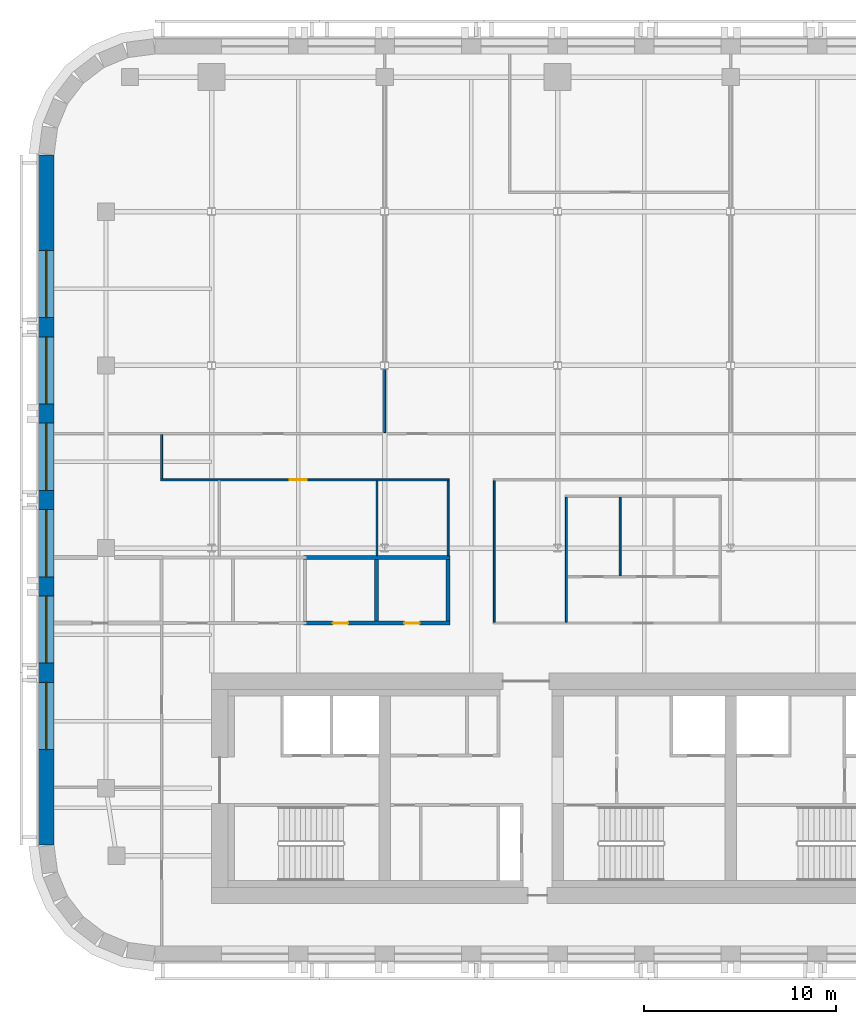
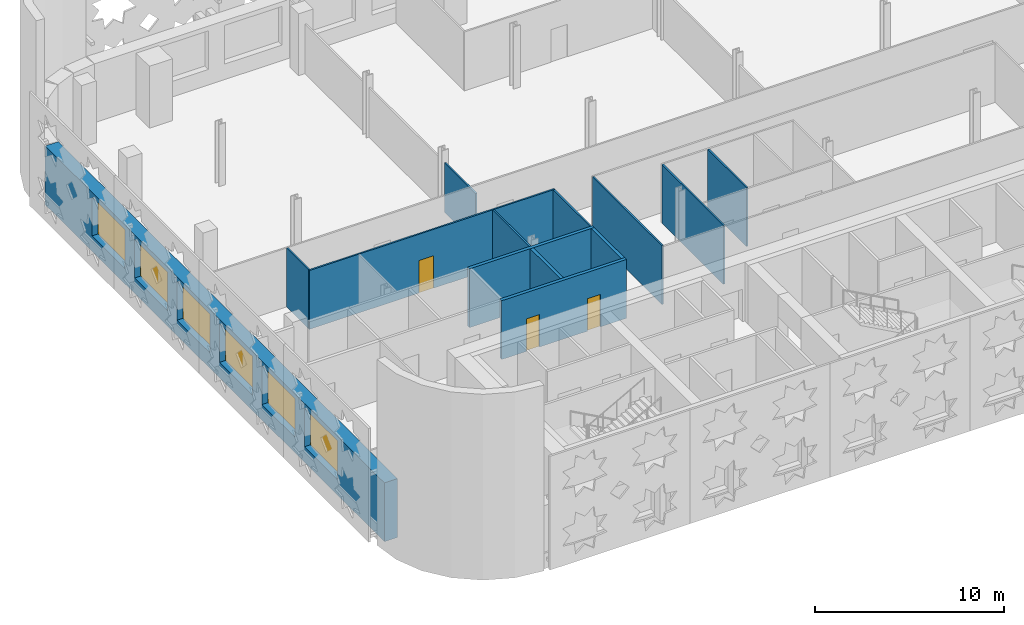
# One storey, part 4 of 14: 13 walls, 6 windows, 3 doors, 9 openings.
"""IFC4 building model written with IfcOpenShell, lengths in metres."""

from ifc_helpers import new_model, si_unit, direction, frame, frame_2d, origin, place, context, subcontext, project, spatial, rectangle, extrude, material, layer, layer_set, type_object, element, fill, save


model = new_model("IFC4")

# Units and contexts
model_context = context("Model", 3, precision=1e-05, world=origin(), true_north=direction((0.0, 1.0)))
body_context = subcontext(model_context, "Body", "Model", "MODEL_VIEW")
ifc_project = project(units=[si_unit("LENGTHUNIT", "METRE"), si_unit("AREAUNIT", "SQUARE_METRE"), si_unit("VOLUMEUNIT", "CUBIC_METRE"), si_unit("PLANEANGLEUNIT", "RADIAN"), si_unit("MASSUNIT", "GRAM", prefix="KILO")], contexts=[model_context])

# Site, building, storey
site_placement = place(None, origin())
site = spatial("IfcSite", under=ifc_project, at=site_placement, CompositionType="ELEMENT")
building_placement = place(site_placement, origin())
building = spatial("IfcBuilding", under=site, at=building_placement, Name="Zellij Exchange Tower", CompositionType="ELEMENT")
storey_placement = place(building_placement, frame((0.0, 0.0, 188.5)))
storey = spatial("IfcBuildingStorey", under=building, at=storey_placement, Name="L43", CompositionType="ELEMENT", Elevation=188.5)

# Wall, openings, windows
ifc_material_1 = material(Name="Precast concrete C40/50", Category="concrete")
ifc_layer_1 = layer(ifc_material_1, 0.800048828125)
ifc_layer_set_1 = layer_set([ifc_layer_1], Name="Precast concrete C40/50")
wall_type_1 = type_object("IfcWallType", Name="ENV-EW1 Precast stone-piered wall 800", PredefinedType="SOLIDWALL", material=ifc_layer_set_1)
wall_1_placement = place(storey_placement, frame((-35.60009765625, 24.947509765625, 0.0), z_axis=(0.0, 0.0, 1.0), x_axis=(0.0, -1.0, 0.0)))
wall_1 = element("IfcWall", 1, at=wall_1_placement, inside=storey, type_object=wall_type_1, Name="fac.L43.21", PredefinedType="SOLIDWALL", context=body_context, shape_type="SweptSolid", body=[
    extrude(rectangle(XDim=35.89501953125, YDim=0.800048828125, at=frame_2d((17.947509765625, 0.0))), origin(), (0.0, 0.0, 1.0), 3.800048828125),
])
opening_1_placement = place(wall_1_placement, frame((4.9638671875, 0.0, 1.0)))
opening_1 = element("IfcOpeningElement", 2, at=opening_1_placement, cuts=wall_1, Name="Opening FZ3.31", PredefinedType="OPENING", context=body_context, shape_type="SweptSolid", body=[
    extrude(rectangle(XDim=3.5, YDim=2.5, at=frame_2d((1.75, 1.25))), frame((0.0, 0.412109375, 0.0), z_axis=(0.0, -1.0, 0.0), x_axis=(1.0, 0.0, 0.0)), (0.0, 0.0, 1.0), 0.823974609375),
])
opening_2_placement = place(wall_1_placement, frame((9.45751953125, 0.0, 1.0)))
opening_2 = element("IfcOpeningElement", 3, at=opening_2_placement, cuts=wall_1, Name="Opening FZ3.32", PredefinedType="OPENING", context=body_context, shape_type="SweptSolid", body=[
    extrude(rectangle(XDim=3.5, YDim=2.5, at=frame_2d((1.75, 1.25))), frame((0.0, 0.412109375, 0.0), z_axis=(0.0, -1.0, 0.0), x_axis=(1.0, 0.0, 0.0)), (0.0, 0.0, 1.0), 0.823974609375),
])
opening_3_placement = place(wall_1_placement, frame((13.950927734375, 0.0, 1.0)))
opening_3 = element("IfcOpeningElement", 4, at=opening_3_placement, cuts=wall_1, Name="Opening FZ3.33", PredefinedType="OPENING", context=body_context, shape_type="SweptSolid", body=[
    extrude(rectangle(XDim=3.5, YDim=2.5, at=frame_2d((1.75, 1.25))), frame((0.0, 0.412109375, 0.0), z_axis=(0.0, -1.0, 0.0), x_axis=(1.0, 0.0, 0.0)), (0.0, 0.0, 1.0), 0.823974609375),
])
opening_4_placement = place(wall_1_placement, frame((18.4443359375, 0.0, 1.0)))
opening_4 = element("IfcOpeningElement", 5, at=opening_4_placement, cuts=wall_1, Name="Opening FZ3.34", PredefinedType="OPENING", context=body_context, shape_type="SweptSolid", body=[
    extrude(rectangle(XDim=3.5, YDim=2.5, at=frame_2d((1.75, 1.25))), frame((0.0, 0.412109375, 0.0), z_axis=(0.0, -1.0, 0.0), x_axis=(1.0, 0.0, 0.0)), (0.0, 0.0, 1.0), 0.823974609375),
])
opening_5_placement = place(wall_1_placement, frame((22.937744140625, 0.0, 1.0)))
opening_5 = element("IfcOpeningElement", 6, at=opening_5_placement, cuts=wall_1, Name="Opening FZ3.35", PredefinedType="OPENING", context=body_context, shape_type="SweptSolid", body=[
    extrude(rectangle(XDim=3.5, YDim=2.5, at=frame_2d((1.75, 1.25))), frame((0.0, 0.412109375, 0.0), z_axis=(0.0, -1.0, 0.0), x_axis=(1.0, 0.0, 0.0)), (0.0, 0.0, 1.0), 0.823974609375),
])
opening_6_placement = place(wall_1_placement, frame((27.43115234375, 0.0, 1.0)))
opening_6 = element("IfcOpeningElement", 7, at=opening_6_placement, cuts=wall_1, Name="Opening FZ3.36", PredefinedType="OPENING", context=body_context, shape_type="SweptSolid", body=[
    extrude(rectangle(XDim=3.5, YDim=2.5, at=frame_2d((1.75, 1.25))), frame((0.0, 0.412109375, 0.0), z_axis=(0.0, -1.0, 0.0), x_axis=(1.0, 0.0, 0.0)), (0.0, 0.0, 1.0), 0.823974609375),
])
ifc_material_2 = material(Name="Aluminium frame with insulating glass", Category="aluminium")
window_type = type_object("IfcWindowType", Name="ENV-W1 Window 3500x2500", PartitioningType="SINGLE_PANEL", PredefinedType="WINDOW", material=ifc_material_2)
window_1_placement = place(opening_1_placement, origin())
window_1 = element("IfcWindow", 8, at=window_1_placement, inside=storey, type_object=window_type, Name="Window FZ3.31", OverallHeight=2.5, OverallWidth=3.5, PartitioningType="SINGLE_PANEL", PredefinedType="WINDOW", context=body_context, shape_type="SweptSolid", body=[
    extrude(rectangle(XDim=3.5, YDim=2.5, at=frame_2d((1.75, 1.25))), frame((0.0, 0.030029296875, 0.0), z_axis=(0.0, -1.0, 0.0), x_axis=(1.0, 0.0, 0.0)), (0.0, 0.0, 1.0), 0.06005859375),
])
fill(opening_1, window_1)
window_2_placement = place(opening_2_placement, origin())
window_2 = element("IfcWindow", 9, at=window_2_placement, inside=storey, type_object=window_type, Name="Window FZ3.32", OverallHeight=2.5, OverallWidth=3.5, PartitioningType="SINGLE_PANEL", PredefinedType="WINDOW", context=body_context, shape_type="SweptSolid", body=[
    extrude(rectangle(XDim=3.5, YDim=2.5, at=frame_2d((1.75, 1.25))), frame((0.0, 0.030029296875, 0.0), z_axis=(0.0, -1.0, 0.0), x_axis=(1.0, 0.0, 0.0)), (0.0, 0.0, 1.0), 0.06005859375),
])
fill(opening_2, window_2)
window_3_placement = place(opening_3_placement, origin())
window_3 = element("IfcWindow", 10, at=window_3_placement, inside=storey, type_object=window_type, Name="Window FZ3.33", OverallHeight=2.5, OverallWidth=3.5, PartitioningType="SINGLE_PANEL", PredefinedType="WINDOW", context=body_context, shape_type="SweptSolid", body=[
    extrude(rectangle(XDim=3.5, YDim=2.5, at=frame_2d((1.75, 1.25))), frame((0.0, 0.030029296875, 0.0), z_axis=(0.0, -1.0, 0.0), x_axis=(1.0, 0.0, 0.0)), (0.0, 0.0, 1.0), 0.06005859375),
])
fill(opening_3, window_3)
window_4_placement = place(opening_4_placement, origin())
window_4 = element("IfcWindow", 11, at=window_4_placement, inside=storey, type_object=window_type, Name="Window FZ3.34", OverallHeight=2.5, OverallWidth=3.5, PartitioningType="SINGLE_PANEL", PredefinedType="WINDOW", context=body_context, shape_type="SweptSolid", body=[
    extrude(rectangle(XDim=3.5, YDim=2.5, at=frame_2d((1.75, 1.25))), frame((0.0, 0.030029296875, 0.0), z_axis=(0.0, -1.0, 0.0), x_axis=(1.0, 0.0, 0.0)), (0.0, 0.0, 1.0), 0.06005859375),
])
fill(opening_4, window_4)
window_5_placement = place(opening_5_placement, origin())
window_5 = element("IfcWindow", 12, at=window_5_placement, inside=storey, type_object=window_type, Name="Window FZ3.35", OverallHeight=2.5, OverallWidth=3.5, PartitioningType="SINGLE_PANEL", PredefinedType="WINDOW", context=body_context, shape_type="SweptSolid", body=[
    extrude(rectangle(XDim=3.5, YDim=2.5, at=frame_2d((1.75, 1.25))), frame((0.0, 0.030029296875, 0.0), z_axis=(0.0, -1.0, 0.0), x_axis=(1.0, 0.0, 0.0)), (0.0, 0.0, 1.0), 0.06005859375),
])
fill(opening_5, window_5)
window_6_placement = place(opening_6_placement, origin())
window_6 = element("IfcWindow", 13, at=window_6_placement, inside=storey, type_object=window_type, Name="Window FZ3.36", OverallHeight=2.5, OverallWidth=3.5, PartitioningType="SINGLE_PANEL", PredefinedType="WINDOW", context=body_context, shape_type="SweptSolid", body=[
    extrude(rectangle(XDim=3.5, YDim=2.5, at=frame_2d((1.75, 1.25))), frame((0.0, 0.030029296875, 0.0), z_axis=(0.0, -1.0, 0.0), x_axis=(1.0, 0.0, 0.0)), (0.0, 0.0, 1.0), 0.06005859375),
])
fill(opening_6, window_6)

# Wall, openings, doors
ifc_material_3 = material(Name="Blockwork partition", Category="masonry")
ifc_layer_2 = layer(ifc_material_3, 0.199951171875)
ifc_layer_set_2 = layer_set([ifc_layer_2], Name="Blockwork partition")
wall_type_2 = type_object("IfcWallType", Name="FIT-BLOCKWORK-200", PredefinedType="PARTITIONING", material=ifc_layer_set_2)
wall_2_placement = place(storey_placement, frame((-22.22509765625, 0.60009765625, 0.0), z_axis=(0.0, 0.0, 1.0), x_axis=(1.0, 0.0, 0.0)))
wall_2 = element("IfcWall", 14, at=wall_2_placement, inside=storey, type_object=wall_type_2, Name="FIT-BLOCKWORK-200 009", PredefinedType="PARTITIONING", context=body_context, shape_type="SweptSolid", body=[
    extrude(rectangle(XDim=7.625, YDim=0.199951171875, at=frame_2d((3.8125, 0.0))), origin(), (0.0, 0.0, 1.0), 3.800048828125),
])
opening_7_placement = place(wall_2_placement, frame((1.52490234375, 0.0, 0.0)))
opening_7 = element("IfcOpeningElement", 15, at=opening_7_placement, cuts=wall_2, Name="Opening O3C.07", PredefinedType="OPENING", context=body_context, shape_type="SweptSolid", body=[
    extrude(rectangle(XDim=0.800048828125, YDim=2.10009765625, at=frame_2d((0.39990234375, 1.050048828125))), frame((0.0, 0.11181640625, 0.0), z_axis=(0.0, -1.0, 0.0), x_axis=(1.0, 0.0, 0.0)), (0.0, 0.0, 1.0), 0.223876953125),
])
opening_8_placement = place(wall_2_placement, frame((5.25, 0.0, 0.0)))
opening_8 = element("IfcOpeningElement", 16, at=opening_8_placement, cuts=wall_2, Name="Opening O3C.08", PredefinedType="OPENING", context=body_context, shape_type="SweptSolid", body=[
    extrude(rectangle(XDim=0.800048828125, YDim=2.10009765625, at=frame_2d((0.39990234375, 1.050048828125))), frame((0.0, 0.11181640625, 0.0), z_axis=(0.0, -1.0, 0.0), x_axis=(1.0, 0.0, 0.0)), (0.0, 0.0, 1.0), 0.223876953125),
])
ifc_material_4 = material(Name="Timber door set", Category="wood")
door_type_1 = type_object("IfcDoorType", Name="FIT-D6-SERVICE-800X2100", OperationType="SINGLE_SWING_LEFT", PredefinedType="DOOR", material=ifc_material_4)
door_1_placement = place(opening_7_placement, origin())
door_1 = element("IfcDoor", 17, at=door_1_placement, inside=storey, type_object=door_type_1, Name="Door O3C.07", OperationType="SINGLE_SWING_RIGHT", OverallHeight=2.10009765625, OverallWidth=0.800048828125, PredefinedType="DOOR", context=body_context, shape_type="SweptSolid", body=[
    extrude(rectangle(XDim=0.800048828125, YDim=2.10009765625, at=frame_2d((0.39990234375, 1.050048828125))), frame((0.0, 0.02490234375, 0.0), z_axis=(0.0, -1.0, 0.0), x_axis=(1.0, 0.0, 0.0)), (0.0, 0.0, 1.0), 0.050048828125),
])
fill(opening_7, door_1)
door_2_placement = place(opening_8_placement, origin())
door_2 = element("IfcDoor", 18, at=door_2_placement, inside=storey, type_object=door_type_1, Name="Door O3C.08", OperationType="SINGLE_SWING_RIGHT", OverallHeight=2.10009765625, OverallWidth=0.800048828125, PredefinedType="DOOR", context=body_context, shape_type="SweptSolid", body=[
    extrude(rectangle(XDim=0.800048828125, YDim=2.10009765625, at=frame_2d((0.39990234375, 1.050048828125))), frame((0.0, 0.02490234375, 0.0), z_axis=(0.0, -1.0, 0.0), x_axis=(1.0, 0.0, 0.0)), (0.0, 0.0, 1.0), 0.050048828125),
])
fill(opening_8, door_2)

# Walls
for number, where, z_axis, x_axis, name in (
    (19, (-18.419921875, 0.699951171875, 0.0), (0.0, 0.0, 1.0), (0.0, 1.0, 0.0), "FIT-BLOCKWORK-200 011"),
    (20, (-14.699951171875, 0.699951171875, 0.0), (0.0, 0.0, 1.0), (0.0, 1.0, 0.0), "FIT-BLOCKWORK-200 012"),
):
    element("IfcWall", number, at=place(storey_placement, frame(where, z_axis=z_axis, x_axis=x_axis)), inside=storey, type_object=wall_type_2, Name=name, PredefinedType="PARTITIONING", context=body_context, shape_type="SweptSolid", body=[
        extrude(rectangle(XDim=3.199951171875, YDim=0.199951171875, at=frame_2d((1.60009765625, 0.0))), origin(), (0.0, 0.0, 1.0), 3.800048828125),
    ])
wall_3_placement = place(storey_placement, frame((-22.22509765625, 4.0, 0.0), z_axis=(0.0, 0.0, 1.0), x_axis=(1.0, 0.0, 0.0)))
element("IfcWall", 21, at=wall_3_placement, inside=storey, type_object=wall_type_2, Name="FIT-BLOCKWORK-200 027", PredefinedType="PARTITIONING", context=body_context, shape_type="SweptSolid", body=[
    extrude(rectangle(XDim=7.625, YDim=0.199951171875, at=frame_2d((3.8125, 0.0))), origin(), (0.0, 0.0, 1.0), 3.800048828125),
])
ifc_material_5 = material(Name="Gypsum board partition on steel studs", Category="steel")
ifc_layer_3 = layer(ifc_material_5, 0.10009765625)
ifc_layer_set_3 = layer_set([ifc_layer_3], Name="Gypsum board partition on steel studs")
wall_type_3 = type_object("IfcWallType", Name="FIT-PARTITION-100", PredefinedType="PARTITIONING", material=ifc_layer_set_3)
wall_4_placement = place(storey_placement, frame((-12.300048828125, 0.64990234375, 0.0), z_axis=(0.0, 0.0, 1.0), x_axis=(0.0, 1.0, 0.0)))
element("IfcWall", 22, at=wall_4_placement, inside=storey, type_object=wall_type_3, Name="FIT-PARTITION-100 014", PredefinedType="PARTITIONING", context=body_context, shape_type="SweptSolid", body=[
    extrude(rectangle(XDim=7.35009765625, YDim=0.10009765625, at=frame_2d((3.675048828125, 0.0))), origin(), (0.0, 0.0, 1.0), 3.800048828125),
])
wall_5_placement = place(storey_placement, frame((-8.550048828125, 0.64990234375, 0.0), z_axis=(0.0, 0.0, 1.0), x_axis=(0.0, 1.0, 0.0)))
element("IfcWall", 23, at=wall_5_placement, inside=storey, type_object=wall_type_3, Name="FIT-PARTITION-100 015", PredefinedType="PARTITIONING", context=body_context, shape_type="SweptSolid", body=[
    extrude(rectangle(XDim=6.5, YDim=0.10009765625, at=frame_2d((3.25, 0.0))), origin(), (0.0, 0.0, 1.0), 3.800048828125),
])
wall_6_placement = place(storey_placement, frame((-5.75, 3.050048828125, 0.0), z_axis=(0.0, 0.0, 1.0), x_axis=(0.0, 1.0, 0.0)))
element("IfcWall", 24, at=wall_6_placement, inside=storey, type_object=wall_type_3, Name="FIT-PARTITION-100 021", PredefinedType="PARTITIONING", context=body_context, shape_type="SweptSolid", body=[
    extrude(rectangle(XDim=4.099853515625, YDim=0.10009765625, at=frame_2d((2.0498046875, 0.0))), origin(), (0.0, 0.0, 1.0), 3.800048828125),
])
for number, where, z_axis, x_axis, name in (
    (25, (-18.39990234375, 4.10009765625, 0.0), (0.0, 0.0, 1.0), (0.0, 1.0, 0.0), "FIT-PARTITION-100 028"),
    (26, (-14.699951171875, 4.10009765625, 0.0), (0.0, 0.0, 1.0), (0.0, 1.0, 0.0), "FIT-PARTITION-100 029"),
):
    element("IfcWall", number, at=place(storey_placement, frame(where, z_axis=z_axis, x_axis=x_axis)), inside=storey, type_object=wall_type_3, Name=name, PredefinedType="PARTITIONING", context=body_context, shape_type="SweptSolid", body=[
        extrude(rectangle(XDim=3.89990234375, YDim=0.10009765625, at=frame_2d((1.949951171875, 0.0))), origin(), (0.0, 0.0, 1.0), 3.800048828125),
    ])

# Wall, opening, door
wall_7_placement = place(storey_placement, frame((-29.64990234375, 8.050048828125, 0.0), z_axis=(0.0, 0.0, 1.0), x_axis=(1.0, 0.0, 0.0)))
wall_7 = element("IfcWall", 27, at=wall_7_placement, inside=storey, type_object=wall_type_3, Name="FIT-PARTITION-100 031", PredefinedType="PARTITIONING", context=body_context, shape_type="SweptSolid", body=[
    extrude(rectangle(XDim=15.0, YDim=0.10009765625, at=frame_2d((7.5, 0.0))), origin(), (0.0, 0.0, 1.0), 3.800048828125),
])
opening_9_placement = place(wall_7_placement, frame((6.699951171875, 0.0, 0.0)))
opening_9 = element("IfcOpeningElement", 28, at=opening_9_placement, cuts=wall_7, Name="Opening O3C.14", PredefinedType="OPENING", context=body_context, shape_type="SweptSolid", body=[
    extrude(rectangle(XDim=0.89990234375, YDim=2.10009765625, at=frame_2d((0.449951171875, 1.050048828125))), frame((0.0, 0.06201171875, 0.0), z_axis=(0.0, -1.0, 0.0), x_axis=(1.0, 0.0, 0.0)), (0.0, 0.0, 1.0), 0.1240234375),
])
door_type_2 = type_object("IfcDoorType", Name="FIT-D1-ROOM-900X2100", OperationType="SINGLE_SWING_LEFT", PredefinedType="DOOR", material=ifc_material_4)
door_3_placement = place(opening_9_placement, origin())
door_3 = element("IfcDoor", 29, at=door_3_placement, inside=storey, type_object=door_type_2, Name="Door O3C.14", OperationType="SINGLE_SWING_LEFT", OverallHeight=2.10009765625, OverallWidth=0.89990234375, PredefinedType="DOOR", context=body_context, shape_type="SweptSolid", body=[
    extrude(rectangle(XDim=0.89990234375, YDim=2.10009765625, at=frame_2d((0.449951171875, 1.050048828125))), frame((0.0, 0.02490234375, 0.0), z_axis=(0.0, -1.0, 0.0), x_axis=(1.0, 0.0, 0.0)), (0.0, 0.0, 1.0), 0.050048828125),
])
fill(opening_9, door_3)

# Walls
wall_8_placement = place(storey_placement, frame((-29.60009765625, 8.10009765625, 0.0), z_axis=(0.0, 0.0, 1.0), x_axis=(0.0, 1.0, 0.0)))
element("IfcWall", 30, at=wall_8_placement, inside=storey, type_object=wall_type_3, Name="FIT-PARTITION-100 032", PredefinedType="PARTITIONING", context=body_context, shape_type="SweptSolid", body=[
    extrude(rectangle(XDim=2.2998046875, YDim=0.10009765625, at=frame_2d((1.14990234375, 0.0))), origin(), (0.0, 0.0, 1.0), 3.800048828125),
])
wall_9_placement = place(storey_placement, frame((-18.0, 10.5, 0.0), z_axis=(0.0, 0.0, 1.0), x_axis=(0.0, 1.0, 0.0)))
element("IfcWall", 31, at=wall_9_placement, inside=storey, type_object=wall_type_3, Name="FIT-PARTITION-100 037", PredefinedType="PARTITIONING", context=body_context, shape_type="SweptSolid", body=[
    extrude(rectangle(XDim=3.287841796875, YDim=0.10009765625, at=frame_2d((1.64404296875, 0.0))), origin(), (0.0, 0.0, 1.0), 3.19287109375),
])

save(model, "model.ifc")
